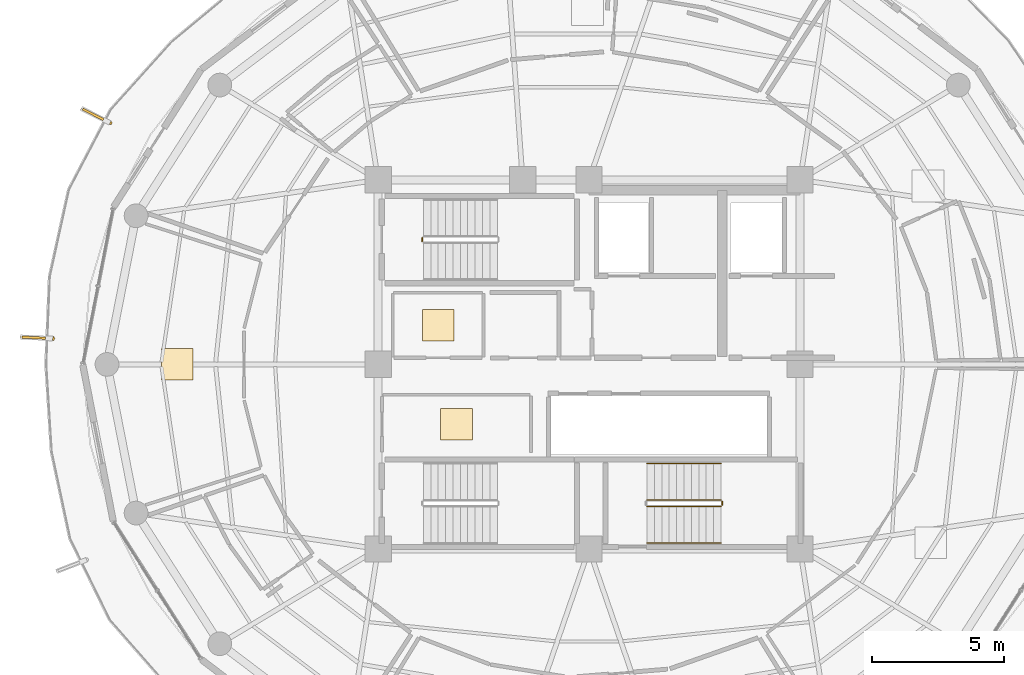
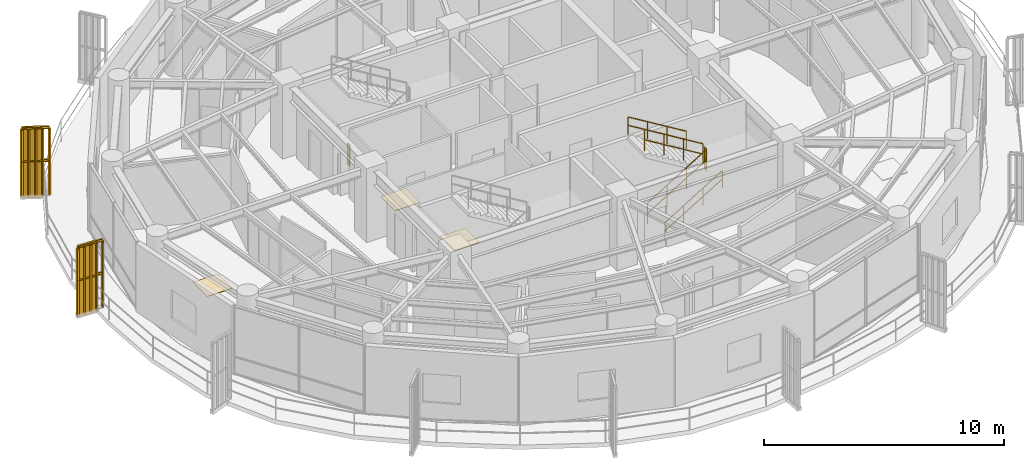
# One storey, part 21 of 23: 8 railings, 3 coverings, 2 shading devices.
"""IFC4 building model written with IfcOpenShell, lengths in metres."""

import ifcopenshell
import ifcopenshell.guid

model = None  # the IFC model being written
_history = None  # IfcOwnerHistory: only IFC2X3 demands one
_inside = {}  # id of a spatial element -> (the spatial element, [elements in it])
_under = {}  # id of a project, library or spatial element -> (it, [spatial elements below it])
_declared = {}  # id of a project -> (the project, [libraries it declares])
_typed = {}  # id of a type object -> (the type object, [elements of that type])
_made_of = {}  # id of a material, layer set ... -> (it, [elements and type objects made of it])


def new_model(schema):
    """Start an empty IFC model of exactly this schema.

    Asked for "IFC4X3", IfcOpenShell would pick the latest addendum, in which some entities
    have other attributes; the version numbers below select the first issue.
    IFC2X3 requires an IfcOwnerHistory on every rooted entity: one is made here for all.
    """
    global model, _history
    if schema == "IFC4X3":
        model = ifcopenshell.file(schema_version=(4, 3, 0, 0))
    else:
        model = ifcopenshell.file(schema=schema)
    _inside.clear()
    _under.clear()
    _declared.clear()
    _typed.clear()
    _made_of.clear()
    _history = None
    if model.schema == "IFC2X3":
        org = make("IfcOrganization", Name="unknown")
        user = make(
            "IfcPersonAndOrganization",
            ThePerson=make("IfcPerson", FamilyName="unknown"),
            TheOrganization=org,
        )
        app = make(
            "IfcApplication",
            ApplicationDeveloper=org,
            Version="unknown",
            ApplicationFullName="unknown",
            ApplicationIdentifier="unknown",
        )
        _history = make(
            "IfcOwnerHistory",
            OwningUser=user,
            OwningApplication=app,
            ChangeAction="ADDED",
            CreationDate=0,
        )
    return model


def make(cls, **values):
    """One entity of the class cls with the attributes given. An attribute that is None is left unset."""
    return model.create_entity(
        cls, **{name: value for name, value in values.items() if value is not None}
    )


def rooted(cls, **values):
    """An entity with a GlobalId (a new one), such as an element, a storey or a relation."""
    return make(cls, GlobalId=ifcopenshell.guid.new(), OwnerHistory=_history, **values)


def si_unit(unit_type, name, prefix=None):
    """IfcSIUnit, for example si_unit("LENGTHUNIT", "METRE", prefix="MILLI")."""
    return make("IfcSIUnit", UnitType=unit_type, Prefix=prefix, Name=name)


def assignment(units):
    """IfcUnitAssignment: the units of a project."""
    return None if units is None else make("IfcUnitAssignment", Units=units)


def point(xyz):
    """IfcCartesianPoint."""
    return None if xyz is None else make("IfcCartesianPoint", Coordinates=xyz)


def direction(xyz):
    """IfcDirection."""
    return None if xyz is None else make("IfcDirection", DirectionRatios=xyz)


def frame(location, z_axis=None, x_axis=None):
    """IfcAxis2Placement3D, a coordinate frame: its origin and axes. An axis left out is left unset."""
    return make(
        "IfcAxis2Placement3D",
        Location=point(location),
        Axis=direction(z_axis),
        RefDirection=direction(x_axis),
    )


def frame_2d(location, x_axis=None):
    """IfcAxis2Placement2D, a coordinate frame in the plane: its origin and x axis."""
    return make(
        "IfcAxis2Placement2D", Location=point(location), RefDirection=direction(x_axis)
    )


def origin():
    """The frame at (0, 0, 0) with its axes left unset."""
    return frame((0.0, 0.0, 0.0))


def origin_2d():
    """The frame at (0, 0) in the plane with its x axis left unset."""
    return frame_2d((0.0, 0.0))


def place(relative_to, where):
    """IfcLocalPlacement: puts the frame where relative to a parent placement (None: the world)."""
    return make(
        "IfcLocalPlacement", PlacementRelTo=relative_to, RelativePlacement=where
    )


def context(
    kind, dimensions, precision=None, world=None, true_north=None, identifier=None
):
    """IfcGeometricRepresentationContext, for example the 3D "Model" context."""
    return make(
        "IfcGeometricRepresentationContext",
        ContextIdentifier=identifier,
        ContextType=kind,
        CoordinateSpaceDimension=dimensions,
        Precision=precision,
        WorldCoordinateSystem=world,
        TrueNorth=true_north,
    )


def subcontext(parent, identifier, kind, view, scale=None):
    """IfcGeometricRepresentationSubContext, for example "Body" below "Model"."""
    return make(
        "IfcGeometricRepresentationSubContext",
        ContextIdentifier=identifier,
        ContextType=kind,
        ParentContext=parent,
        TargetScale=scale,
        TargetView=view,
    )


def project(units=None, contexts=None):
    """IfcProject with its units and contexts."""
    return rooted(
        "IfcProject",
        Name="project",
        RepresentationContexts=contexts,
        UnitsInContext=assignment(units),
    )


def spatial(cls, under=None, at=None, **own):
    """A site, building, storey or space (cls), placed at a placement, below another one or the project."""
    s = rooted(cls, ObjectPlacement=at, **own)
    if under is not None:
        _under.setdefault(under.id(), (under, []))[1].append(s)
    return s


def polyline(points):
    """IfcPolyline through the points."""
    return make("IfcPolyline", Points=[point(p) for p in points])


def profile(cls, at=None, kind="AREA", **sizes):
    """A parametric profile (cls). Its sizes go by their IFC names, for example OverallWidth=200.0."""
    return make(cls, ProfileType=kind, Position=at, **sizes)


def rectangle(**sizes):
    """IfcRectangleProfileDef."""
    return profile("IfcRectangleProfileDef", **sizes)


def outline(outer, holes=None, kind="AREA"):
    """IfcArbitraryClosedProfileDef: a profile drawn as a closed curve; with holes, ...WithVoids."""
    if holes is None:
        return make("IfcArbitraryClosedProfileDef", ProfileType=kind, OuterCurve=outer)
    return make(
        "IfcArbitraryProfileDefWithVoids",
        ProfileType=kind,
        OuterCurve=outer,
        InnerCurves=holes,
    )


def extrude(swept, where, along, depth):
    """IfcExtrudedAreaSolid: the profile swept, set in the frame where, extruded along a direction by depth."""
    return make(
        "IfcExtrudedAreaSolid",
        SweptArea=swept,
        Position=where,
        ExtrudedDirection=direction(along),
        Depth=depth,
    )


def shape(context_of_items, identifier, shape_type, items):
    """IfcShapeRepresentation: the items that make up one representation, for example the "Body"."""
    return make(
        "IfcShapeRepresentation",
        ContextOfItems=context_of_items,
        RepresentationIdentifier=identifier,
        RepresentationType=shape_type,
        Items=items,
    )


def source(mapping_origin, context_of_items, identifier, shape_type, items):
    """IfcRepresentationMap: a shape defined once, which mapped items show again and again."""
    return make(
        "IfcRepresentationMap",
        MappingOrigin=mapping_origin,
        MappedRepresentation=shape(context_of_items, identifier, shape_type, items),
    )


def transform(
    local_origin,
    x_axis=None,
    y_axis=None,
    z_axis=None,
    scale=None,
    scale2=None,
    scale3=None,
    uniform=True,
):
    """IfcCartesianTransformationOperator3D, or its non-uniform kind. x_axis, y_axis, z_axis: its Axis1, 2, 3."""
    if uniform:
        return make(
            "IfcCartesianTransformationOperator3D",
            Axis1=direction(x_axis),
            Axis2=direction(y_axis),
            LocalOrigin=point(local_origin),
            Scale=scale,
            Axis3=direction(z_axis),
        )
    return make(
        "IfcCartesianTransformationOperator3DnonUniform",
        Axis1=direction(x_axis),
        Axis2=direction(y_axis),
        LocalOrigin=point(local_origin),
        Scale=scale,
        Axis3=direction(z_axis),
        Scale2=scale2,
        Scale3=scale3,
    )


def mapped(mapping_source, mapping_target):
    """IfcMappedItem: shows the shape of a source again, moved by a transform."""
    return make(
        "IfcMappedItem", MappingSource=mapping_source, MappingTarget=mapping_target
    )


def material(Name=None, Category=None):
    """IfcMaterial."""
    return make("IfcMaterial", Name=Name, Category=Category)


def layer(
    of_material, thickness, ventilated=None, Name=None, Category=None, Priority=None
):
    """IfcMaterialLayer: one layer of a wall or slab, of a material (None: an air gap)."""
    return make(
        "IfcMaterialLayer",
        Material=of_material,
        LayerThickness=thickness,
        IsVentilated=ventilated,
        Name=Name,
        Category=Category,
        Priority=Priority,
    )


def layer_set(layers, Name=None):
    """IfcMaterialLayerSet."""
    return make("IfcMaterialLayerSet", MaterialLayers=layers, LayerSetName=Name)


def made_of(thing, what):
    """Note that an element or type object is made of a material, layer set ...; save() writes the relation."""
    if what is not None:
        _made_of.setdefault(what.id(), (what, []))[1].append(thing)
    return thing


def type_object(cls, material=None, **own):
    """A type object (cls), such as IfcWallType, which elements share."""
    return made_of(rooted(cls, **own), material)


def element(
    cls,
    number,
    at=None,
    inside=None,
    cuts=None,
    type_object=None,
    material=None,
    context=None,
    identifier="Body",
    shape_type=None,
    held_by="IfcProductDefinitionShape",
    body=None,
    shapes=None,
    **own,
):
    """One element of the class cls, such as IfcWall. Its Tag is "e" and its number.

    at: its placement. inside: the storey or other place that contains it. cuts: it is an
    opening in that element (IfcRelVoidsElement). A single representation is given by context,
    identifier, shape_type and body (its items); several are given by shapes. held_by: the class
    of the entity that holds the representations. save() writes the other relations.
    """
    e = rooted(cls, Tag="e%d" % number, ObjectPlacement=at, **own)
    if body is not None:
        shapes = [shape(context, identifier, shape_type, body)]
    if shapes is not None:
        e.Representation = make(held_by, Representations=shapes)
    if inside is not None:
        _inside.setdefault(inside.id(), (inside, []))[1].append(e)
    if cuts is not None:
        rooted(
            "IfcRelVoidsElement", RelatingBuildingElement=cuts, RelatedOpeningElement=e
        )
    if type_object is not None:
        _typed.setdefault(type_object.id(), (type_object, []))[1].append(e)
    return made_of(e, material)


def aggregate(whole, parts):
    """IfcRelAggregates: a whole, such as a stair, and the parts it consists of."""
    return rooted("IfcRelAggregates", RelatingObject=whole, RelatedObjects=parts)


def save(model, path):
    """Write the relations noted so far, then the file.

    IfcRelAggregates (storeys below a building ...), IfcRelContainedInSpatialStructure (elements
    in a storey), IfcRelDefinesByType, IfcRelAssociatesMaterial and IfcRelDeclares: one each for
    every whole, place, type object, material and project.
    """
    for whole, parts in _under.values():
        aggregate(whole, parts)
    for where, things in _inside.values():
        rooted(
            "IfcRelContainedInSpatialStructure",
            RelatedElements=things,
            RelatingStructure=where,
        )
    for kind, things in _typed.values():
        rooted("IfcRelDefinesByType", RelatedObjects=things, RelatingType=kind)
    for what, things in _made_of.values():
        rooted("IfcRelAssociatesMaterial", RelatedObjects=things, RelatingMaterial=what)
    for by, libraries in _declared.values():
        rooted("IfcRelDeclares", RelatingContext=by, RelatedDefinitions=libraries)
    model.write(path)


model = new_model("IFC4")

# Units and contexts
model_context = context("Model", 3, precision=1e-05, world=origin(), true_north=direction((0.0, 1.0)))
body_context = subcontext(model_context, "Body", "Model", "MODEL_VIEW")
ifc_project = project(units=[si_unit("LENGTHUNIT", "METRE"), si_unit("AREAUNIT", "SQUARE_METRE"), si_unit("VOLUMEUNIT", "CUBIC_METRE"), si_unit("PLANEANGLEUNIT", "RADIAN"), si_unit("MASSUNIT", "GRAM", prefix="KILO")], contexts=[model_context])

# Site, building, storey
site_placement = place(None, origin())
site = spatial("IfcSite", under=ifc_project, at=site_placement, CompositionType="ELEMENT")
building_placement = place(site_placement, origin())
building = spatial("IfcBuilding", under=site, at=building_placement, Name="Kelanora Arch Commons", CompositionType="ELEMENT")
storey_placement = place(building_placement, frame((0.0, 0.0, 278.699951171875)))
storey = spatial("IfcBuildingStorey", under=building, at=storey_placement, Name="L71", CompositionType="ELEMENT", Elevation=278.699951171875)

# Railings
ifc_material_1 = material(Name="Anodised bronze vertical shading fin rib assembly")
railing_type_1 = type_object("IfcRailingType", Name="RAIL-FIN-BRZ", PredefinedType="BALUSTRADE", material=ifc_material_1)
railing_1_placement = place(storey_placement, frame((55.8369140625, 67.158203125, -0.02001953125)))
element("IfcRailing", 1, at=railing_1_placement, inside=storey, type_object=railing_type_1, Name="Sweeping Bronze Vertical Fin Blade L71-07", PredefinedType="BALUSTRADE", context=body_context, shape_type="SweptSolid", body=[
    extrude(outline(polyline([(0.06982421875, 0.0), (0.034912109375, 0.060546875), (-0.034912109375, 0.060546875), (-0.06982421875, 0.0), (-0.034912109375, -0.060546875), (0.034912109375, -0.060546875), (0.06982421875, 0.0)])), frame((0.0, 0.0, 3.419921875), z_axis=(-0.892910810337, 0.450233589133, 0.0), x_axis=(-0.450233589133, -0.892910810337, 0.0)), (0.0, 0.0, 1.0), 1.1630859375),
    extrude(outline(polyline([(0.06982421875, 0.0), (0.034912109375, 0.060546875), (-0.034912109375, 0.060546875), (-0.06982421875, 0.0), (-0.034912109375, -0.060546875), (0.034912109375, -0.060546875), (0.06982421875, 0.0)])), frame((0.0, 0.0, 1.7451171875), z_axis=(-0.892910810337, 0.450233589133, 0.0), x_axis=(-0.450233589133, -0.892910810337, 0.0)), (0.0, 0.0, 1.0), 1.1630859375),
    extrude(outline(polyline([(0.080078125, 0.0), (0.0400390625, 0.0693359375), (-0.0400390625, 0.0693359375), (-0.080078125, 0.0), (-0.0400390625, -0.0693359375), (0.0400390625, -0.0693359375), (0.080078125, 0.0)])), origin(), (0.0, 0.0, 1.0), 3.35009765625),
    extrude(outline(polyline([(0.080078125, 0.0), (0.0400390625, 0.0693359375), (-0.0400390625, 0.0693359375), (-0.080078125, 0.0), (-0.0400390625, -0.0693359375), (0.0400390625, -0.0693359375), (0.080078125, 0.0)])), frame((-0.259765625, 0.130859375, 0.0)), (0.0, 0.0, 1.0), 3.35009765625),
    extrude(outline(polyline([(0.080078125, 0.0), (0.0400390625, 0.0693359375), (-0.0400390625, 0.0693359375), (-0.080078125, 0.0), (-0.0400390625, -0.0693359375), (0.0400390625, -0.0693359375), (0.080078125, 0.0)])), frame((-0.519287109375, 0.26171875, 0.0)), (0.0, 0.0, 1.0), 3.35009765625),
    extrude(outline(polyline([(0.080078125, 0.0), (0.0400390625, 0.0693359375), (-0.0400390625, 0.0693359375), (-0.080078125, 0.0), (-0.0400390625, -0.0693359375), (0.0400390625, -0.0693359375), (0.080078125, 0.0)])), frame((-0.77880859375, 0.392822265625, 0.0)), (0.0, 0.0, 1.0), 3.35009765625),
    extrude(outline(polyline([(0.080078125, 0.0), (0.0400390625, 0.0693359375), (-0.0400390625, 0.0693359375), (-0.080078125, 0.0), (-0.0400390625, -0.0693359375), (0.0400390625, -0.0693359375), (0.080078125, 0.0)])), frame((-1.03857421875, 0.523681640625, 0.0)), (0.0, 0.0, 1.0), 3.35009765625),
])
railing_2_placement = place(storey_placement, frame((53.6630859375, 58.979736328125, -0.02001953125)))
element("IfcRailing", 2, at=railing_2_placement, inside=storey, type_object=railing_type_1, Name="Sweeping Bronze Vertical Fin Blade L71-08", PredefinedType="BALUSTRADE", context=body_context, shape_type="SweptSolid", body=[
    extrude(outline(polyline([(0.06982421875, 0.0), (0.034912109375, 0.060546875), (-0.034912109375, 0.060546875), (-0.06982421875, 0.0), (-0.034912109375, -0.060546875), (0.034912109375, -0.060546875), (0.06982421875, 0.0)])), frame((0.0, 0.0, 3.419921875), z_axis=(-0.9988442706, 0.048063739854, 0.0), x_axis=(-0.048063739854, -0.9988442706, 0.0)), (0.0, 0.0, 1.0), 1.163330078125),
    extrude(outline(polyline([(0.06982421875, 0.0), (0.034912109375, 0.060546875), (-0.034912109375, 0.060546875), (-0.06982421875, 0.0), (-0.034912109375, -0.060546875), (0.034912109375, -0.060546875), (0.06982421875, 0.0)])), frame((0.0, 0.0, 1.7451171875), z_axis=(-0.9988442706, 0.048063739854, 0.0), x_axis=(-0.048063739854, -0.9988442706, 0.0)), (0.0, 0.0, 1.0), 1.163330078125),
    extrude(outline(polyline([(0.080078125, 0.0), (0.0400390625, 0.0693359375), (-0.0400390625, 0.0693359375), (-0.080078125, 0.0), (-0.0400390625, -0.0693359375), (0.0400390625, -0.0693359375), (0.080078125, 0.0)])), origin(), (0.0, 0.0, 1.0), 3.35009765625),
    extrude(outline(polyline([(0.080078125, 0.0), (0.0400390625, 0.0693359375), (-0.0400390625, 0.0693359375), (-0.080078125, 0.0), (-0.0400390625, -0.0693359375), (0.0400390625, -0.0693359375), (0.080078125, 0.0)])), frame((-0.29052734375, 0.013916015625, 0.0)), (0.0, 0.0, 1.0), 3.35009765625),
    extrude(outline(polyline([(0.080078125, 0.0), (0.0400390625, 0.0693359375), (-0.0400390625, 0.0693359375), (-0.080078125, 0.0), (-0.0400390625, -0.0693359375), (0.0400390625, -0.0693359375), (0.080078125, 0.0)])), frame((-0.5810546875, 0.02783203125, 0.0)), (0.0, 0.0, 1.0), 3.35009765625),
    extrude(outline(polyline([(0.080078125, 0.0), (0.0400390625, 0.0693359375), (-0.0400390625, 0.0693359375), (-0.080078125, 0.0), (-0.0400390625, -0.0693359375), (0.0400390625, -0.0693359375), (0.080078125, 0.0)])), frame((-0.871337890625, 0.0419921875, 0.0)), (0.0, 0.0, 1.0), 3.35009765625),
    extrude(outline(polyline([(0.080078125, 0.0), (0.0400390625, 0.0693359375), (-0.0400390625, 0.0693359375), (-0.080078125, 0.0), (-0.0400390625, -0.0693359375), (0.0400390625, -0.0693359375), (0.080078125, 0.0)])), frame((-1.161865234375, 0.055908203125, 0.0)), (0.0, 0.0, 1.0), 3.35009765625),
])
ifc_material_2 = material(Name="Painted steel stair well guard", Category="steel")
railing_type_2 = type_object("IfcRailingType", Name="RAIL-STAIR-GRD", PredefinedType="GUARDRAIL", material=ifc_material_2)
railing_3_placement = place(storey_placement, frame((67.669921875, 62.659912109375, 0.0)))
element("IfcRailing", 3, at=railing_3_placement, inside=storey, type_object=railing_type_2, Name="L71 ST-T1 stair guard 4", PredefinedType="GUARDRAIL", context=body_context, shape_type="SweptSolid", body=[
    extrude(outline(polyline([(0.02392578125, 0.0), (0.011962890625, 0.020751953125), (-0.011962890625, 0.020751953125), (-0.02392578125, 0.0), (-0.011962890625, -0.020751953125), (0.011962890625, -0.020751953125), (0.02392578125, 0.0)])), frame((0.0, 0.0, 1.076171875), z_axis=(0.0, 1.0, 0.0), x_axis=(-1.0, 0.0, 0.0)), (0.0, 0.0, 1.0), 0.150146484375),
    extrude(outline(polyline([(0.02392578125, 0.0), (0.011962890625, 0.020751953125), (-0.011962890625, 0.020751953125), (-0.02392578125, 0.0), (-0.011962890625, -0.020751953125), (0.011962890625, -0.020751953125), (0.02392578125, 0.0)])), frame((0.0, 0.0, 0.550048828125), z_axis=(0.0, 1.0, 0.0), x_axis=(-1.0, 0.0, 0.0)), (0.0, 0.0, 1.0), 0.150146484375),
    extrude(outline(polyline([(0.02099609375, 0.0), (0.010498046875, 0.01806640625), (-0.010498046875, 0.01806640625), (-0.02099609375, 0.0), (-0.010498046875, -0.01806640625), (0.010498046875, -0.01806640625), (0.02099609375, 0.0)])), origin(), (0.0, 0.0, 1.0), 1.052001953125),
    extrude(outline(polyline([(0.02099609375, 0.0), (0.010498046875, 0.01806640625), (-0.010498046875, 0.01806640625), (-0.02099609375, 0.0), (-0.010498046875, -0.01806640625), (0.010498046875, -0.01806640625), (0.02099609375, 0.0)])), frame((0.0, 0.150146484375, 0.0)), (0.0, 0.0, 1.0), 1.052001953125),
])
railing_4_placement = place(storey_placement, frame((76.199951171875, 52.610107421875, 0.17041015625)))
element("IfcRailing", 4, at=railing_4_placement, inside=storey, type_object=railing_type_2, Name="L71 ST-T2 stair guard 1", PredefinedType="GUARDRAIL", context=body_context, shape_type="SweptSolid", body=[
    extrude(outline(polyline([(0.02392578125, 0.0), (0.011962890625, 0.020751953125), (-0.011962890625, 0.020751953125), (-0.02392578125, 0.0), (-0.011962890625, -0.020751953125), (0.011962890625, -0.020751953125), (0.02392578125, 0.0)])), frame((0.0, 0.0, 1.076171875), z_axis=(0.854169791009, 0.0, 0.51999420009), x_axis=(0.0, 1.0, 0.0)), (0.0, 0.0, 1.0), 3.278076171875),
    extrude(outline(polyline([(0.02392578125, 0.0), (0.011962890625, 0.020751953125), (-0.011962890625, 0.020751953125), (-0.02392578125, 0.0), (-0.011962890625, -0.020751953125), (0.011962890625, -0.020751953125), (0.02392578125, 0.0)])), frame((0.0, 0.0, 0.550048828125), z_axis=(0.854169791009, 0.0, 0.51999420009), x_axis=(0.0, 1.0, 0.0)), (0.0, 0.0, 1.0), 3.278076171875),
    extrude(outline(polyline([(0.02099609375, 0.0), (0.010498046875, 0.01806640625), (-0.010498046875, 0.01806640625), (-0.02099609375, 0.0), (-0.010498046875, -0.01806640625), (0.010498046875, -0.01806640625), (0.02099609375, 0.0)])), origin(), (0.0, 0.0, 1.0), 1.052001953125),
    extrude(outline(polyline([(0.02099609375, 0.0), (0.010498046875, 0.01806640625), (-0.010498046875, 0.01806640625), (-0.02099609375, 0.0), (-0.010498046875, -0.01806640625), (0.010498046875, -0.01806640625), (0.02099609375, 0.0)])), frame((0.933349609375, 0.0, 0.568115234375)), (0.0, 0.0, 1.0), 1.052001953125),
    extrude(outline(polyline([(0.02099609375, 0.0), (0.010498046875, 0.01806640625), (-0.010498046875, 0.01806640625), (-0.02099609375, 0.0), (-0.010498046875, -0.01806640625), (0.010498046875, -0.01806640625), (0.02099609375, 0.0)])), frame((1.86669921875, 0.0, 1.136474609375)), (0.0, 0.0, 1.0), 1.052001953125),
    extrude(outline(polyline([(0.02099609375, 0.0), (0.010498046875, 0.01806640625), (-0.010498046875, 0.01806640625), (-0.02099609375, 0.0), (-0.010498046875, -0.01806640625), (0.010498046875, -0.01806640625), (0.02099609375, 0.0)])), frame((2.800048828125, 0.0, 1.70458984375)), (0.0, 0.0, 1.0), 1.052001953125),
])
railing_5_placement = place(storey_placement, frame((79.050048828125, 52.659912109375, 1.875)))
element("IfcRailing", 5, at=railing_5_placement, inside=storey, type_object=railing_type_2, Name="L71 ST-T2 stair guard 2", PredefinedType="GUARDRAIL", context=body_context, shape_type="SweptSolid", body=[
    extrude(outline(polyline([(0.02392578125, 0.0), (0.011962890625, 0.020751953125), (-0.011962890625, 0.020751953125), (-0.02392578125, 0.0), (-0.011962890625, -0.020751953125), (0.011962890625, -0.020751953125), (0.02392578125, 0.0)])), frame((0.0, 0.0, 1.076171875), z_axis=(0.0, 1.0, 0.0), x_axis=(-1.0, 0.0, 0.0)), (0.0, 0.0, 1.0), 0.150146484375),
    extrude(outline(polyline([(0.02392578125, 0.0), (0.011962890625, 0.020751953125), (-0.011962890625, 0.020751953125), (-0.02392578125, 0.0), (-0.011962890625, -0.020751953125), (0.011962890625, -0.020751953125), (0.02392578125, 0.0)])), frame((0.0, 0.0, 0.550048828125), z_axis=(0.0, 1.0, 0.0), x_axis=(-1.0, 0.0, 0.0)), (0.0, 0.0, 1.0), 0.150146484375),
    extrude(outline(polyline([(0.02099609375, 0.0), (0.010498046875, 0.01806640625), (-0.010498046875, 0.01806640625), (-0.02099609375, 0.0), (-0.010498046875, -0.01806640625), (0.010498046875, -0.01806640625), (0.02099609375, 0.0)])), origin(), (0.0, 0.0, 1.0), 1.052001953125),
    extrude(outline(polyline([(0.02099609375, 0.0), (0.010498046875, 0.01806640625), (-0.010498046875, 0.01806640625), (-0.02099609375, 0.0), (-0.010498046875, -0.01806640625), (0.010498046875, -0.01806640625), (0.02099609375, 0.0)])), frame((0.0, 0.150146484375, 0.0)), (0.0, 0.0, 1.0), 1.052001953125),
])
railing_6_placement = place(storey_placement, frame((79.0, 52.860107421875, 2.04541015625)))
element("IfcRailing", 6, at=railing_6_placement, inside=storey, type_object=railing_type_2, Name="L71 ST-T2 stair guard 3", PredefinedType="GUARDRAIL", context=body_context, shape_type="SweptSolid", body=[
    extrude(outline(polyline([(0.02392578125, 0.0), (0.011962890625, 0.020751953125), (-0.011962890625, 0.020751953125), (-0.02392578125, 0.0), (-0.011962890625, -0.020751953125), (0.011962890625, -0.020751953125), (0.02392578125, 0.0)])), frame((0.0, 0.0, 1.076171875), z_axis=(-0.854169791009, 0.0, 0.51999420009), x_axis=(0.0, -1.0, 0.0)), (0.0, 0.0, 1.0), 3.278076171875),
    extrude(outline(polyline([(0.02392578125, 0.0), (0.011962890625, 0.020751953125), (-0.011962890625, 0.020751953125), (-0.02392578125, 0.0), (-0.011962890625, -0.020751953125), (0.011962890625, -0.020751953125), (0.02392578125, 0.0)])), frame((0.0, 0.0, 0.550048828125), z_axis=(-0.854169791009, 0.0, 0.51999420009), x_axis=(0.0, -1.0, 0.0)), (0.0, 0.0, 1.0), 3.278076171875),
    extrude(outline(polyline([(0.02099609375, 0.0), (0.010498046875, 0.01806640625), (-0.010498046875, 0.01806640625), (-0.02099609375, 0.0), (-0.010498046875, -0.01806640625), (0.010498046875, -0.01806640625), (0.02099609375, 0.0)])), origin(), (0.0, 0.0, 1.0), 1.052001953125),
    extrude(outline(polyline([(0.02099609375, 0.0), (0.010498046875, 0.01806640625), (-0.010498046875, 0.01806640625), (-0.02099609375, 0.0), (-0.010498046875, -0.01806640625), (0.010498046875, -0.01806640625), (0.02099609375, 0.0)])), frame((-0.933349609375, 0.0, 0.568115234375)), (0.0, 0.0, 1.0), 1.052001953125),
    extrude(outline(polyline([(0.02099609375, 0.0), (0.010498046875, 0.01806640625), (-0.010498046875, 0.01806640625), (-0.02099609375, 0.0), (-0.010498046875, -0.01806640625), (0.010498046875, -0.01806640625), (0.02099609375, 0.0)])), frame((-1.86669921875, 0.0, 1.136474609375)), (0.0, 0.0, 1.0), 1.052001953125),
    extrude(outline(polyline([(0.02099609375, 0.0), (0.010498046875, 0.01806640625), (-0.010498046875, 0.01806640625), (-0.02099609375, 0.0), (-0.010498046875, -0.01806640625), (0.010498046875, -0.01806640625), (0.02099609375, 0.0)])), frame((-2.800048828125, 0.0, 1.70458984375)), (0.0, 0.0, 1.0), 1.052001953125),
])
ifc_material_3 = material(Name="Brushed stainless steel stair handrail", Category="steel")
railing_type_3 = type_object("IfcRailingType", Name="RAIL-STAIR-HND", PredefinedType="HANDRAIL", material=ifc_material_3)
railing_7_placement = place(storey_placement, frame((76.199951171875, 51.22998046875, 0.17041015625)))
element("IfcRailing", 7, at=railing_7_placement, inside=storey, type_object=railing_type_3, Name="L71 ST-T2 stair handrail 1", PredefinedType="HANDRAIL", context=body_context, shape_type="SweptSolid", body=[
    extrude(outline(polyline([(0.02392578125, 0.0), (0.011962890625, 0.020751953125), (-0.011962890625, 0.020751953125), (-0.02392578125, 0.0), (-0.011962890625, -0.020751953125), (0.011962890625, -0.020751953125), (0.02392578125, 0.0)])), frame((0.0, 0.0, 0.8759765625), z_axis=(0.854169791009, 0.0, 0.51999420009), x_axis=(0.0, 1.0, 0.0)), (0.0, 0.0, 1.0), 3.278076171875),
    extrude(outline(polyline([(0.02392578125, 0.0), (0.011962890625, 0.020751953125), (-0.011962890625, 0.020751953125), (-0.02392578125, 0.0), (-0.011962890625, -0.020751953125), (0.011962890625, -0.020751953125), (0.02392578125, 0.0)])), frame((0.0, 0.0, 0.449951171875), z_axis=(0.854169791009, 0.0, 0.51999420009), x_axis=(0.0, 1.0, 0.0)), (0.0, 0.0, 1.0), 3.278076171875),
    extrude(outline(polyline([(0.02099609375, 0.0), (0.010498046875, 0.01806640625), (-0.010498046875, 0.01806640625), (-0.02099609375, 0.0), (-0.010498046875, -0.01806640625), (0.010498046875, -0.01806640625), (0.02099609375, 0.0)])), origin(), (0.0, 0.0, 1.0), 0.851806640625),
    extrude(outline(polyline([(0.02099609375, 0.0), (0.010498046875, 0.01806640625), (-0.010498046875, 0.01806640625), (-0.02099609375, 0.0), (-0.010498046875, -0.01806640625), (0.010498046875, -0.01806640625), (0.02099609375, 0.0)])), frame((0.933349609375, 0.0, 0.568115234375)), (0.0, 0.0, 1.0), 0.851806640625),
    extrude(outline(polyline([(0.02099609375, 0.0), (0.010498046875, 0.01806640625), (-0.010498046875, 0.01806640625), (-0.02099609375, 0.0), (-0.010498046875, -0.01806640625), (0.010498046875, -0.01806640625), (0.02099609375, 0.0)])), frame((1.86669921875, 0.0, 1.136474609375)), (0.0, 0.0, 1.0), 0.851806640625),
    extrude(outline(polyline([(0.02099609375, 0.0), (0.010498046875, 0.01806640625), (-0.010498046875, 0.01806640625), (-0.02099609375, 0.0), (-0.010498046875, -0.01806640625), (0.010498046875, -0.01806640625), (0.02099609375, 0.0)])), frame((2.800048828125, 0.0, 1.70458984375)), (0.0, 0.0, 1.0), 0.851806640625),
])
railing_8_placement = place(storey_placement, frame((79.0, 54.239990234375, 2.04541015625)))
element("IfcRailing", 8, at=railing_8_placement, inside=storey, type_object=railing_type_3, Name="L71 ST-T2 stair handrail 2", PredefinedType="HANDRAIL", context=body_context, shape_type="SweptSolid", body=[
    extrude(outline(polyline([(0.02392578125, 0.0), (0.011962890625, 0.020751953125), (-0.011962890625, 0.020751953125), (-0.02392578125, 0.0), (-0.011962890625, -0.020751953125), (0.011962890625, -0.020751953125), (0.02392578125, 0.0)])), frame((0.0, 0.0, 0.8759765625), z_axis=(-0.854169791009, 0.0, 0.51999420009), x_axis=(0.0, -1.0, 0.0)), (0.0, 0.0, 1.0), 3.278076171875),
    extrude(outline(polyline([(0.02392578125, 0.0), (0.011962890625, 0.020751953125), (-0.011962890625, 0.020751953125), (-0.02392578125, 0.0), (-0.011962890625, -0.020751953125), (0.011962890625, -0.020751953125), (0.02392578125, 0.0)])), frame((0.0, 0.0, 0.449951171875), z_axis=(-0.854169791009, 0.0, 0.51999420009), x_axis=(0.0, -1.0, 0.0)), (0.0, 0.0, 1.0), 3.278076171875),
    extrude(outline(polyline([(0.02099609375, 0.0), (0.010498046875, 0.01806640625), (-0.010498046875, 0.01806640625), (-0.02099609375, 0.0), (-0.010498046875, -0.01806640625), (0.010498046875, -0.01806640625), (0.02099609375, 0.0)])), origin(), (0.0, 0.0, 1.0), 0.851806640625),
    extrude(outline(polyline([(0.02099609375, 0.0), (0.010498046875, 0.01806640625), (-0.010498046875, 0.01806640625), (-0.02099609375, 0.0), (-0.010498046875, -0.01806640625), (0.010498046875, -0.01806640625), (0.02099609375, 0.0)])), frame((-0.933349609375, 0.0, 0.568115234375)), (0.0, 0.0, 1.0), 0.851806640625),
    extrude(outline(polyline([(0.02099609375, 0.0), (0.010498046875, 0.01806640625), (-0.010498046875, 0.01806640625), (-0.02099609375, 0.0), (-0.010498046875, -0.01806640625), (0.010498046875, -0.01806640625), (0.02099609375, 0.0)])), frame((-1.86669921875, 0.0, 1.136474609375)), (0.0, 0.0, 1.0), 0.851806640625),
    extrude(outline(polyline([(0.02099609375, 0.0), (0.010498046875, 0.01806640625), (-0.010498046875, 0.01806640625), (-0.02099609375, 0.0), (-0.010498046875, -0.01806640625), (0.010498046875, -0.01806640625), (0.02099609375, 0.0)])), frame((-2.800048828125, 0.0, 1.70458984375)), (0.0, 0.0, 1.0), 0.851806640625),
])

# Shading devices
ifc_material_4 = material(Name="Terracotta ceramic-clad extruded aluminium fin", Category="masonry")
shading_device_type = type_object("IfcShadingDeviceType", Name="SHD-FIN-FLARE", PredefinedType="USERDEFINED", material=ifc_material_4)
shared_shape_1 = source(origin(), body_context, "Body", "SweptSolid", [
    extrude(rectangle(XDim=0.8798828125, YDim=0.090087890625, at=origin_2d()), origin(), (0.0, 0.0, 1.0), 3.610107421875),
])
for number, where, z_axis, x_axis, name in (
    (9, (55.194091796875, 67.482177734375, -0.14013671875), (0.0, 0.0, 1.0), (-0.892900372813, 0.450254288408, 0.0), "Sweeping Terracotta Fin L71-07"),
    (10, (52.944091796875, 59.014404296875, -0.14013671875), (0.0, 0.0, 1.0), (-0.998839997509, 0.04815245972, 0.0), "Sweeping Terracotta Fin L71-08"),
):
    element("IfcShadingDevice", number, at=place(storey_placement, frame(where, z_axis=z_axis, x_axis=x_axis)), inside=storey, type_object=shading_device_type, Name=name, ObjectType="FIN", PredefinedType="USERDEFINED", context=body_context, shape_type="MappedRepresentation", body=[
        mapped(shared_shape_1, transform((0.0, 0.0, 0.0), scale=1.0)),
    ])

# Coverings
ifc_material_5 = material(Name="Polished local granite terrazzo flooring", Category="masonry")
ifc_layer = layer(ifc_material_5, 0.030029296875)
ifc_layer_set = layer_set([ifc_layer], Name="Polished local granite terrazzo flooring")
covering_type = type_object("IfcCoveringType", Name="COV-FLR-TER", PredefinedType="FLOORING", material=ifc_layer_set)
shared_shape_2 = source(origin(), body_context, "Body", "SweptSolid", [
    extrude(rectangle(XDim=1.199951171875, YDim=1.199951171875, at=origin_2d()), origin(), (0.0, 0.0, 1.0), 0.030029296875),
])
for number, where, z_axis, x_axis, name in (
    (11, (68.27490234375, 59.485107421875, 0.0), (0.0, 0.0, 1.0), (1.0, 0.0, 0.0), "Reclaimed Core Quiet Phone Booths L71 Terrazzo Finish"),
    (12, (68.97509765625, 55.735107421875, 0.0), (0.0, 0.0, 1.0), (1.0, 0.0, 0.0), "Reclaimed Core High-Zone Pantry and Copy Room L71 Terrazzo Finish"),
    (13, (58.388427734375, 58.0, 0.0), (0.0, 0.0, 1.0), (1.0, 0.0, 0.0), "Social Sky Lounge L71-03 Terrazzo Finish"),
):
    element("IfcCovering", number, at=place(storey_placement, frame(where, z_axis=z_axis, x_axis=x_axis)), inside=storey, type_object=covering_type, Name=name, PredefinedType="FLOORING", context=body_context, shape_type="MappedRepresentation", body=[
        mapped(shared_shape_2, transform((0.0, 0.0, 0.0), scale=1.0)),
    ])

save(model, "model.ifc")
